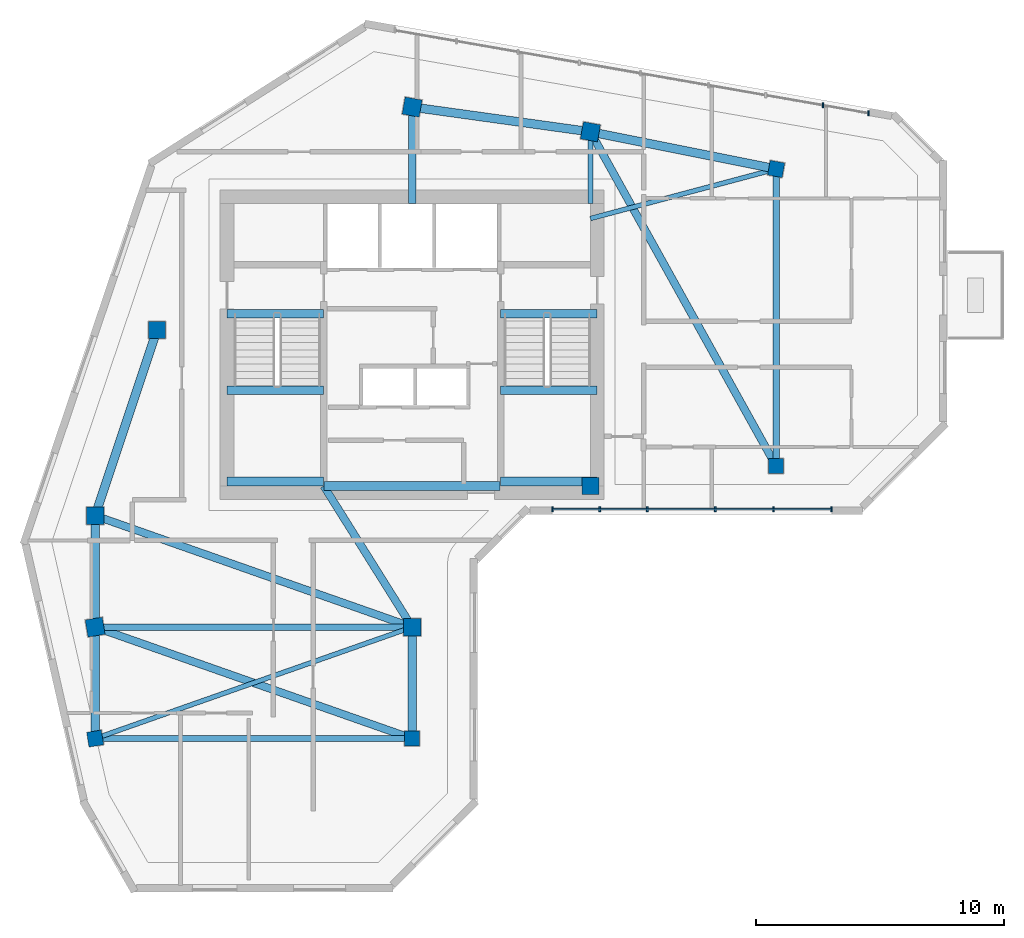
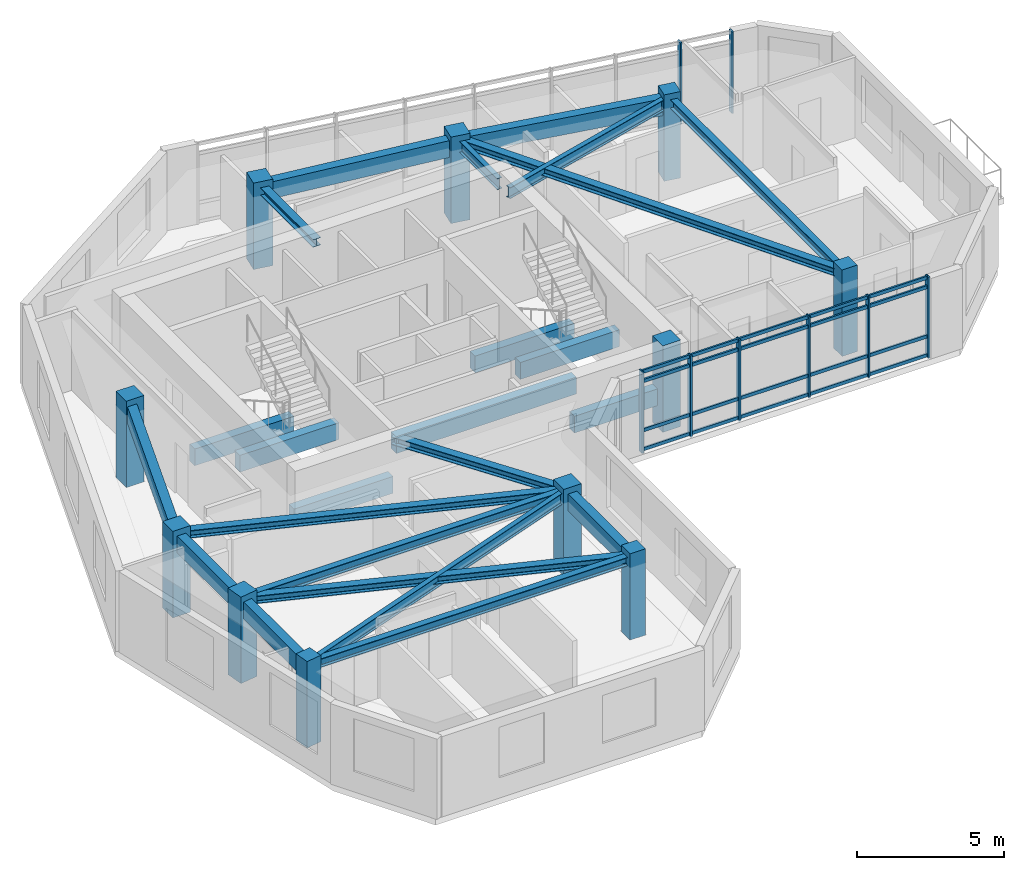
# One storey, part 1 of 9: 24 beams, 12 members, 11 columns, 2 elements without a shape of their own.
"""IFC4 building model written with IfcOpenShell, lengths in metres."""

import ifcopenshell
import ifcopenshell.guid

model = None  # the IFC model being written
_history = None  # IfcOwnerHistory: only IFC2X3 demands one
_inside = {}  # id of a spatial element -> (the spatial element, [elements in it])
_under = {}  # id of a project, library or spatial element -> (it, [spatial elements below it])
_declared = {}  # id of a project -> (the project, [libraries it declares])
_typed = {}  # id of a type object -> (the type object, [elements of that type])
_made_of = {}  # id of a material, layer set ... -> (it, [elements and type objects made of it])


def new_model(schema):
    """Start an empty IFC model of exactly this schema.

    Asked for "IFC4X3", IfcOpenShell would pick the latest addendum, in which some entities
    have other attributes; the version numbers below select the first issue.
    IFC2X3 requires an IfcOwnerHistory on every rooted entity: one is made here for all.
    """
    global model, _history
    if schema == "IFC4X3":
        model = ifcopenshell.file(schema_version=(4, 3, 0, 0))
    else:
        model = ifcopenshell.file(schema=schema)
    _inside.clear()
    _under.clear()
    _declared.clear()
    _typed.clear()
    _made_of.clear()
    _history = None
    if model.schema == "IFC2X3":
        org = make("IfcOrganization", Name="unknown")
        user = make(
            "IfcPersonAndOrganization",
            ThePerson=make("IfcPerson", FamilyName="unknown"),
            TheOrganization=org,
        )
        app = make(
            "IfcApplication",
            ApplicationDeveloper=org,
            Version="unknown",
            ApplicationFullName="unknown",
            ApplicationIdentifier="unknown",
        )
        _history = make(
            "IfcOwnerHistory",
            OwningUser=user,
            OwningApplication=app,
            ChangeAction="ADDED",
            CreationDate=0,
        )
    return model


def make(cls, **values):
    """One entity of the class cls with the attributes given. An attribute that is None is left unset."""
    return model.create_entity(
        cls, **{name: value for name, value in values.items() if value is not None}
    )


def rooted(cls, **values):
    """An entity with a GlobalId (a new one), such as an element, a storey or a relation."""
    return make(cls, GlobalId=ifcopenshell.guid.new(), OwnerHistory=_history, **values)


def si_unit(unit_type, name, prefix=None):
    """IfcSIUnit, for example si_unit("LENGTHUNIT", "METRE", prefix="MILLI")."""
    return make("IfcSIUnit", UnitType=unit_type, Prefix=prefix, Name=name)


def assignment(units):
    """IfcUnitAssignment: the units of a project."""
    return None if units is None else make("IfcUnitAssignment", Units=units)


def point(xyz):
    """IfcCartesianPoint."""
    return None if xyz is None else make("IfcCartesianPoint", Coordinates=xyz)


def direction(xyz):
    """IfcDirection."""
    return None if xyz is None else make("IfcDirection", DirectionRatios=xyz)


def frame(location, z_axis=None, x_axis=None):
    """IfcAxis2Placement3D, a coordinate frame: its origin and axes. An axis left out is left unset."""
    return make(
        "IfcAxis2Placement3D",
        Location=point(location),
        Axis=direction(z_axis),
        RefDirection=direction(x_axis),
    )


def frame_2d(location, x_axis=None):
    """IfcAxis2Placement2D, a coordinate frame in the plane: its origin and x axis."""
    return make(
        "IfcAxis2Placement2D", Location=point(location), RefDirection=direction(x_axis)
    )


def origin():
    """The frame at (0, 0, 0) with its axes left unset."""
    return frame((0.0, 0.0, 0.0))


def origin_2d():
    """The frame at (0, 0) in the plane with its x axis left unset."""
    return frame_2d((0.0, 0.0))


def place(relative_to, where):
    """IfcLocalPlacement: puts the frame where relative to a parent placement (None: the world)."""
    return make(
        "IfcLocalPlacement", PlacementRelTo=relative_to, RelativePlacement=where
    )


def context(
    kind, dimensions, precision=None, world=None, true_north=None, identifier=None
):
    """IfcGeometricRepresentationContext, for example the 3D "Model" context."""
    return make(
        "IfcGeometricRepresentationContext",
        ContextIdentifier=identifier,
        ContextType=kind,
        CoordinateSpaceDimension=dimensions,
        Precision=precision,
        WorldCoordinateSystem=world,
        TrueNorth=true_north,
    )


def subcontext(parent, identifier, kind, view, scale=None):
    """IfcGeometricRepresentationSubContext, for example "Body" below "Model"."""
    return make(
        "IfcGeometricRepresentationSubContext",
        ContextIdentifier=identifier,
        ContextType=kind,
        ParentContext=parent,
        TargetScale=scale,
        TargetView=view,
    )


def project(units=None, contexts=None):
    """IfcProject with its units and contexts."""
    return rooted(
        "IfcProject",
        Name="project",
        RepresentationContexts=contexts,
        UnitsInContext=assignment(units),
    )


def spatial(cls, under=None, at=None, **own):
    """A site, building, storey or space (cls), placed at a placement, below another one or the project."""
    s = rooted(cls, ObjectPlacement=at, **own)
    if under is not None:
        _under.setdefault(under.id(), (under, []))[1].append(s)
    return s


def profile(cls, at=None, kind="AREA", **sizes):
    """A parametric profile (cls). Its sizes go by their IFC names, for example OverallWidth=200.0."""
    return make(cls, ProfileType=kind, Position=at, **sizes)


def rectangle(**sizes):
    """IfcRectangleProfileDef."""
    return profile("IfcRectangleProfileDef", **sizes)


def i_section(**sizes):
    """IfcIShapeProfileDef."""
    return profile("IfcIShapeProfileDef", **sizes)


def extrude(swept, where, along, depth):
    """IfcExtrudedAreaSolid: the profile swept, set in the frame where, extruded along a direction by depth."""
    return make(
        "IfcExtrudedAreaSolid",
        SweptArea=swept,
        Position=where,
        ExtrudedDirection=direction(along),
        Depth=depth,
    )


def shape(context_of_items, identifier, shape_type, items):
    """IfcShapeRepresentation: the items that make up one representation, for example the "Body"."""
    return make(
        "IfcShapeRepresentation",
        ContextOfItems=context_of_items,
        RepresentationIdentifier=identifier,
        RepresentationType=shape_type,
        Items=items,
    )


def source(mapping_origin, context_of_items, identifier, shape_type, items):
    """IfcRepresentationMap: a shape defined once, which mapped items show again and again."""
    return make(
        "IfcRepresentationMap",
        MappingOrigin=mapping_origin,
        MappedRepresentation=shape(context_of_items, identifier, shape_type, items),
    )


def transform(
    local_origin,
    x_axis=None,
    y_axis=None,
    z_axis=None,
    scale=None,
    scale2=None,
    scale3=None,
    uniform=True,
):
    """IfcCartesianTransformationOperator3D, or its non-uniform kind. x_axis, y_axis, z_axis: its Axis1, 2, 3."""
    if uniform:
        return make(
            "IfcCartesianTransformationOperator3D",
            Axis1=direction(x_axis),
            Axis2=direction(y_axis),
            LocalOrigin=point(local_origin),
            Scale=scale,
            Axis3=direction(z_axis),
        )
    return make(
        "IfcCartesianTransformationOperator3DnonUniform",
        Axis1=direction(x_axis),
        Axis2=direction(y_axis),
        LocalOrigin=point(local_origin),
        Scale=scale,
        Axis3=direction(z_axis),
        Scale2=scale2,
        Scale3=scale3,
    )


def mapped(mapping_source, mapping_target):
    """IfcMappedItem: shows the shape of a source again, moved by a transform."""
    return make(
        "IfcMappedItem", MappingSource=mapping_source, MappingTarget=mapping_target
    )


def material(Name=None, Category=None):
    """IfcMaterial."""
    return make("IfcMaterial", Name=Name, Category=Category)


def material_profile(
    of_material, cross_section, Name=None, Category=None, Priority=None
):
    """IfcMaterialProfile: a cross section and its material."""
    return make(
        "IfcMaterialProfile",
        Name=Name,
        Material=of_material,
        Profile=cross_section,
        Priority=Priority,
        Category=Category,
    )


def profile_set(profiles, Name=None, composite=None):
    """IfcMaterialProfileSet."""
    return make(
        "IfcMaterialProfileSet",
        Name=Name,
        MaterialProfiles=profiles,
        CompositeProfile=composite,
    )


def made_of(thing, what):
    """Note that an element or type object is made of a material, layer set ...; save() writes the relation."""
    if what is not None:
        _made_of.setdefault(what.id(), (what, []))[1].append(thing)
    return thing


def type_object(cls, material=None, **own):
    """A type object (cls), such as IfcWallType, which elements share."""
    return made_of(rooted(cls, **own), material)


def element(
    cls,
    number,
    at=None,
    inside=None,
    cuts=None,
    type_object=None,
    material=None,
    context=None,
    identifier="Body",
    shape_type=None,
    held_by="IfcProductDefinitionShape",
    body=None,
    shapes=None,
    **own,
):
    """One element of the class cls, such as IfcWall. Its Tag is "e" and its number.

    at: its placement. inside: the storey or other place that contains it. cuts: it is an
    opening in that element (IfcRelVoidsElement). A single representation is given by context,
    identifier, shape_type and body (its items); several are given by shapes. held_by: the class
    of the entity that holds the representations. save() writes the other relations.
    """
    e = rooted(cls, Tag="e%d" % number, ObjectPlacement=at, **own)
    if body is not None:
        shapes = [shape(context, identifier, shape_type, body)]
    if shapes is not None:
        e.Representation = make(held_by, Representations=shapes)
    if inside is not None:
        _inside.setdefault(inside.id(), (inside, []))[1].append(e)
    if cuts is not None:
        rooted(
            "IfcRelVoidsElement", RelatingBuildingElement=cuts, RelatedOpeningElement=e
        )
    if type_object is not None:
        _typed.setdefault(type_object.id(), (type_object, []))[1].append(e)
    return made_of(e, material)


def aggregate(whole, parts):
    """IfcRelAggregates: a whole, such as a stair, and the parts it consists of."""
    return rooted("IfcRelAggregates", RelatingObject=whole, RelatedObjects=parts)


def save(model, path):
    """Write the relations noted so far, then the file.

    IfcRelAggregates (storeys below a building ...), IfcRelContainedInSpatialStructure (elements
    in a storey), IfcRelDefinesByType, IfcRelAssociatesMaterial and IfcRelDeclares: one each for
    every whole, place, type object, material and project.
    """
    for whole, parts in _under.values():
        aggregate(whole, parts)
    for where, things in _inside.values():
        rooted(
            "IfcRelContainedInSpatialStructure",
            RelatedElements=things,
            RelatingStructure=where,
        )
    for kind, things in _typed.values():
        rooted("IfcRelDefinesByType", RelatedObjects=things, RelatingType=kind)
    for what, things in _made_of.values():
        rooted("IfcRelAssociatesMaterial", RelatedObjects=things, RelatingMaterial=what)
    for by, libraries in _declared.values():
        rooted("IfcRelDeclares", RelatingContext=by, RelatedDefinitions=libraries)
    model.write(path)


model = new_model("IFC4")

# Units and contexts
model_context = context("Model", 3, precision=1e-05, world=origin(), true_north=direction((0.0, 1.0)))
body_context = subcontext(model_context, "Body", "Model", "MODEL_VIEW")
ifc_project = project(units=[si_unit("LENGTHUNIT", "METRE"), si_unit("AREAUNIT", "SQUARE_METRE"), si_unit("VOLUMEUNIT", "CUBIC_METRE"), si_unit("PLANEANGLEUNIT", "RADIAN"), si_unit("MASSUNIT", "GRAM", prefix="KILO")], contexts=[model_context])

# Site, building, storey
site_placement = place(None, origin())
site = spatial("IfcSite", under=ifc_project, at=site_placement, CompositionType="ELEMENT")
building_placement = place(site_placement, origin())
building = spatial("IfcBuilding", under=site, at=building_placement, Name="Calvemar Wedge Station Tower", CompositionType="ELEMENT")
storey_placement = place(building_placement, frame((0.0, 0.0, 263.699951171875)))
storey = spatial("IfcBuildingStorey", under=building, at=storey_placement, Name="L67", CompositionType="ELEMENT", Elevation=263.699951171875)

# Columns
ifc_material_1 = material(Name="Concrete C50", Category="concrete")
ifc_material_profile_1 = material_profile(ifc_material_1, rectangle(XDim=0.699951171875, YDim=0.699951171875, at=origin_2d()), Name="RC700x700")
ifc_profile_set_1 = profile_set([ifc_material_profile_1], Name="Concrete C50")
column_type_1 = type_object("IfcColumnType", Name="COL-C7-700", PredefinedType="COLUMN", material=ifc_profile_set_1)
shared_shape_1 = source(origin(), body_context, "Body", "SweptSolid", [
    extrude(rectangle(XDim=0.699951171875, YDim=0.699951171875, at=origin_2d()), origin(), (0.0, 0.0, 1.0), 3.60009765625),
])
for number, where, z_axis, x_axis, name in (
    (1, (11.0, 33.0, 0.0), (0.0, 0.0, 1.0), (1.0, 0.0, 0.0), "Storey L67 Column T-NW1"),
    (2, (13.5, 40.5, 0.0), (0.0, 0.0, 1.0), (1.0, 0.0, 0.0), "Storey L67 Column T-NW2"),
    (3, (23.800048828125, 49.5, 0.0), (0.0, 0.0, 1.0), (0.984195607969, -0.17708474032, 0.0), "Storey L67 Column T-N1"),
    (4, (31.0, 48.5, 0.0), (0.0, 0.0, 1.0), (0.984195607969, -0.17708474032, 0.0), "Storey L67 Column T-N2"),
    (5, (31.0, 34.199951171875, 0.0), (0.0, 0.0, 1.0), (1.0, 0.0, 0.0), "Storey L67 Column T-NL1"),
    (6, (11.0, 28.5, 0.0), (0.0, 0.0, 1.0), (0.158158067254, -0.987413806751, 0.0), "Storey L67 Column T-SW1"),
    (7, (23.800048828125, 28.5, 0.0), (0.0, 0.0, 1.0), (1.0, 0.0, 0.0), "Storey L67 Column T-SE1"),
):
    element("IfcColumn", number, at=place(storey_placement, frame(where, z_axis=z_axis, x_axis=x_axis)), inside=storey, type_object=column_type_1, Name=name, PredefinedType="COLUMN", context=body_context, shape_type="MappedRepresentation", body=[
        mapped(shared_shape_1, transform((0.0, 0.0, 0.0), scale=1.0)),
    ])
ifc_material_profile_2 = material_profile(ifc_material_1, rectangle(XDim=0.60009765625, YDim=0.60009765625, at=origin_2d()), Name="RC600x600")
ifc_profile_set_2 = profile_set([ifc_material_profile_2], Name="Concrete C50")
column_type_2 = type_object("IfcColumnType", Name="COL-C8-600", PredefinedType="COLUMN", material=ifc_profile_set_2)
shared_shape_2 = source(origin(), body_context, "Body", "SweptSolid", [
    extrude(rectangle(XDim=0.60009765625, YDim=0.60009765625, at=origin_2d()), origin(), (0.0, 0.0, 1.0), 3.60009765625),
])
for number, where, z_axis, x_axis, name in (
    (8, (38.5, 47.0, 0.0), (0.0, 0.0, 1.0), (0.984195607969, -0.17708474032, 0.0), "Storey L67 Column T-NU3"),
    (9, (38.5, 35.0, 0.0), (0.0, 0.0, 1.0), (1.0, 0.0, 0.0), "Storey L67 Column T-NL2"),
    (10, (11.0, 24.0, 0.0), (0.0, 0.0, 1.0), (0.158158067254, -0.987413806751, 0.0), "Storey L67 Column T-SW2"),
    (11, (23.800048828125, 24.0, 0.0), (0.0, 0.0, 1.0), (1.0, 0.0, 0.0), "Storey L67 Column T-SE2"),
):
    element("IfcColumn", number, at=place(storey_placement, frame(where, z_axis=z_axis, x_axis=x_axis)), inside=storey, type_object=column_type_2, Name=name, PredefinedType="COLUMN", context=body_context, shape_type="MappedRepresentation", body=[
        mapped(shared_shape_2, transform((0.0, 0.0, 0.0), scale=1.0)),
    ])

# Beams
ifc_material_2 = material(Name="Concrete C70", Category="concrete")
ifc_material_profile_3 = material_profile(ifc_material_2, rectangle(XDim=0.35009765625, YDim=0.699951171875, at=origin_2d()), Name="RC350x700")
ifc_profile_set_3 = profile_set([ifc_material_profile_3], Name="Concrete C70")
beam_type_1 = type_object("IfcBeamType", Name="BM-LN1-700", PredefinedType="LINTEL", material=ifc_profile_set_3)
shared_shape_3 = source(origin(), body_context, "Body", "SweptSolid", [
    extrude(rectangle(XDim=0.35009765625, YDim=0.699951171875, at=origin_2d()), origin(), (0.0, 0.0, 1.0), 7.10009765625),
])
beam_1_placement = place(storey_placement, frame((20.25, 34.199951171875, 3.0), z_axis=(1.0, 0.0, 0.0), x_axis=(0.0, 1.0, 0.0)))
element("IfcBeam", 12, at=beam_1_placement, inside=storey, type_object=beam_type_1, Name="Storey L67 Core Coupling Lintel South", PredefinedType="LINTEL", context=body_context, shape_type="MappedRepresentation", body=[
    mapped(shared_shape_3, transform((0.0, 0.0, 0.0), scale=1.0)),
])
ifc_material_3 = material(Name="Structural steel ASTM A572 Grade 50", Category="steel")
ifc_material_profile_4 = material_profile(ifc_material_3, i_section(OverallWidth=0.30908203125, OverallDepth=0.322998046875, WebThickness=0.013916015625, FlangeThickness=0.02294921875, FilletRadius=0.014892578125, at=origin_2d()), Name="W310x143")
ifc_profile_set_4 = profile_set([ifc_material_profile_4], Name="Structural steel ASTM A572 Grade 50")
beam_type_2 = type_object("IfcBeamType", Name="BM-J5-W310H", PredefinedType="JOIST", material=ifc_profile_set_4)
shared_shape_4 = source(origin(), body_context, "Body", "SweptSolid", [
    extrude(i_section(OverallWidth=0.30908203125, OverallDepth=0.322998046875, WebThickness=0.013916015625, FlangeThickness=0.02294921875, FilletRadius=0.014892578125, at=origin_2d()), origin(), (0.0, 0.0, 1.0), 15.443359375),
])
beam_2_placement = place(storey_placement, frame((31.0, 48.5, 3.1884765625), z_axis=(0.485642931179, -0.874157276122, 0.0), x_axis=(0.874157276122, 0.485642931179, 0.0)))
element("IfcBeam", 13, at=beam_2_placement, inside=storey, type_object=beam_type_2, Name="Storey L67 Floor Beam T-N2-T-NL2", PredefinedType="JOIST", context=body_context, shape_type="MappedRepresentation", body=[
    mapped(shared_shape_4, transform((0.0, 0.0, 0.0), scale=1.0)),
])
shared_shape_5 = source(origin(), body_context, "Body", "SweptSolid", [
    extrude(i_section(OverallWidth=0.30908203125, OverallDepth=0.322998046875, WebThickness=0.013916015625, FlangeThickness=0.02294921875, FilletRadius=0.014892578125, at=origin_2d()), origin(), (0.0, 0.0, 1.0), 13.568115234375),
])
for number, where, z_axis, x_axis, name in (
    (14, (11.0, 33.0, 3.1884765625), (0.943398221169, -0.331662171939, 0.0), (0.331662171939, 0.943398221169, 0.0), "Storey L67 Floor Beam T-NW1-T-SE1"),
    (15, (11.0, 28.5, 3.1884765625), (0.943398221169, -0.331662171939, 0.0), (0.331662171939, 0.943398221169, 0.0), "Storey L67 Floor Beam T-SW1-T-SE2"),
):
    element("IfcBeam", number, at=place(storey_placement, frame(where, z_axis=z_axis, x_axis=x_axis)), inside=storey, type_object=beam_type_2, Name=name, PredefinedType="JOIST", context=body_context, shape_type="MappedRepresentation", body=[
        mapped(shared_shape_5, transform((0.0, 0.0, 0.0), scale=1.0)),
    ])
ifc_material_profile_5 = material_profile(ifc_material_3, i_section(OverallWidth=0.19189453125, OverallDepth=0.462890625, WebThickness=0.010498046875, FlangeThickness=0.017578125, FilletRadius=0.012939453125, at=origin_2d()), Name="W460x89")
ifc_profile_set_5 = profile_set([ifc_material_profile_5], Name="Structural steel ASTM A572 Grade 50")
beam_type_3 = type_object("IfcBeamType", Name="BM-J1-W460", PredefinedType="JOIST", material=ifc_profile_set_5)
shared_shape_6 = source(origin(), body_context, "Body", "SweptSolid", [
    extrude(i_section(OverallWidth=0.19189453125, OverallDepth=0.462890625, WebThickness=0.010498046875, FlangeThickness=0.017578125, FilletRadius=0.012939453125, at=origin_2d()), origin(), (0.0, 0.0, 1.0), 13.568115234375),
])
beam_3_placement = place(storey_placement, frame((23.800048828125, 28.5, 3.11865234375), z_axis=(-0.943398221169, -0.331662171939, 0.0), x_axis=(0.331662171939, -0.943398221169, 0.0)))
element("IfcBeam", 16, at=beam_3_placement, inside=storey, type_object=beam_type_3, Name="Storey L67 Floor Beam T-SE1-T-SW2", PredefinedType="JOIST", context=body_context, shape_type="MappedRepresentation", body=[
    mapped(shared_shape_6, transform((0.0, 0.0, 0.0), scale=1.0)),
])
shared_shape_7 = source(origin(), body_context, "Body", "SweptSolid", [
    extrude(i_section(OverallWidth=0.19189453125, OverallDepth=0.462890625, WebThickness=0.010498046875, FlangeThickness=0.017578125, FilletRadius=0.012939453125, at=origin_2d()), origin(), (0.0, 0.0, 1.0), 7.76220703125),
])
beam_4_placement = place(storey_placement, frame((31.0, 45.0, 3.11865234375), z_axis=(0.966234939601, 0.25766265056, 0.0), x_axis=(-0.25766265056, 0.966234939601, 0.0)))
element("IfcBeam", 17, at=beam_4_placement, inside=storey, type_object=beam_type_3, Name="Storey L67 Core-to-Column Joist CJ-E2", PredefinedType="JOIST", context=body_context, shape_type="MappedRepresentation", body=[
    mapped(shared_shape_7, transform((0.0, 0.0, 0.0), scale=1.0)),
])
shared_shape_8 = source(origin(), body_context, "Body", "SweptSolid", [
    extrude(i_section(OverallWidth=0.30908203125, OverallDepth=0.322998046875, WebThickness=0.013916015625, FlangeThickness=0.02294921875, FilletRadius=0.014892578125, at=origin_2d()), origin(), (0.0, 0.0, 1.0), 3.89990234375),
])
beam_5_placement = place(storey_placement, frame((23.800048828125, 45.60009765625, 3.1884765625), z_axis=(0.0, 1.0, 0.0), x_axis=(-1.0, 0.0, 0.0)))
element("IfcBeam", 18, at=beam_5_placement, inside=storey, type_object=beam_type_2, Name="Storey L67 Core-to-Column Joist CJ-N1", PredefinedType="JOIST", context=body_context, shape_type="MappedRepresentation", body=[
    mapped(shared_shape_8, transform((0.0, 0.0, 0.0), scale=1.0)),
])
shared_shape_9 = source(origin(), body_context, "Body", "SweptSolid", [
    extrude(i_section(OverallWidth=0.19189453125, OverallDepth=0.462890625, WebThickness=0.010498046875, FlangeThickness=0.017578125, FilletRadius=0.012939453125, at=origin_2d()), origin(), (0.0, 0.0, 1.0), 2.89990234375),
])
beam_6_placement = place(storey_placement, frame((31.0, 45.60009765625, 3.11865234375), z_axis=(0.0, 1.0, 0.0), x_axis=(-1.0, 0.0, 0.0)))
element("IfcBeam", 19, at=beam_6_placement, inside=storey, type_object=beam_type_3, Name="Storey L67 Core-to-Column Joist CJ-N2", PredefinedType="JOIST", context=body_context, shape_type="MappedRepresentation", body=[
    mapped(shared_shape_9, transform((0.0, 0.0, 0.0), scale=1.0)),
])
shared_shape_10 = source(origin(), body_context, "Body", "SweptSolid", [
    extrude(i_section(OverallWidth=0.30908203125, OverallDepth=0.322998046875, WebThickness=0.013916015625, FlangeThickness=0.02294921875, FilletRadius=0.014892578125, at=origin_2d()), origin(), (0.0, 0.0, 1.0), 6.7255859375),
])
beam_7_placement = place(storey_placement, frame((20.22998046875, 34.199951171875, 3.1884765625), z_axis=(0.530811158438, -0.847490126242, 0.0), x_axis=(0.847490126242, 0.530811158438, 0.0)))
element("IfcBeam", 20, at=beam_7_placement, inside=storey, type_object=beam_type_2, Name="Storey L67 Core-to-Column Joist CJ-S2", PredefinedType="JOIST", context=body_context, shape_type="MappedRepresentation", body=[
    mapped(shared_shape_10, transform((0.0, 0.0, 0.0), scale=1.0)),
])
ifc_material_profile_6 = material_profile(ifc_material_1, rectangle(XDim=0.35009765625, YDim=0.699951171875, at=origin_2d()), Name="RC350x700")
ifc_profile_set_6 = profile_set([ifc_material_profile_6], Name="Concrete C50")
beam_type_4 = type_object("IfcBeamType", Name="BM-SP2-700", PredefinedType="SPANDREL", material=ifc_profile_set_6)
shared_shape_11 = source(origin(), body_context, "Body", "SweptSolid", [
    extrude(rectangle(XDim=0.35009765625, YDim=0.699951171875, at=origin_2d()), origin(), (0.0, 0.0, 1.0), 7.90576171875),
])
beam_8_placement = place(storey_placement, frame((11.0, 33.0, 3.0), z_axis=(0.316227766017, 0.948683298051, 0.0), x_axis=(-0.948683298051, 0.316227766017, 0.0)))
element("IfcBeam", 21, at=beam_8_placement, inside=storey, type_object=beam_type_4, Name="Storey L67 Spandrel T-NW1-T-NW2", PredefinedType="SPANDREL", context=body_context, shape_type="MappedRepresentation", body=[
    mapped(shared_shape_11, transform((0.0, 0.0, 0.0), scale=1.0)),
])
shared_shape_12 = source(origin(), body_context, "Body", "SweptSolid", [
    extrude(rectangle(XDim=0.35009765625, YDim=0.699951171875, at=origin_2d()), origin(), (0.0, 0.0, 1.0), 7.26904296875),
])
beam_9_placement = place(storey_placement, frame((23.800048828125, 49.5, 3.0), z_axis=(0.990492146053, -0.13756928657, 0.0), x_axis=(0.13756928657, 0.990492146053, 0.0)))
element("IfcBeam", 22, at=beam_9_placement, inside=storey, type_object=beam_type_4, Name="Storey L67 Spandrel T-N1-T-N2", PredefinedType="SPANDREL", context=body_context, shape_type="MappedRepresentation", body=[
    mapped(shared_shape_12, transform((0.0, 0.0, 0.0), scale=1.0)),
])
shared_shape_13 = source(origin(), body_context, "Body", "SweptSolid", [
    extrude(rectangle(XDim=0.35009765625, YDim=0.699951171875, at=origin_2d()), origin(), (0.0, 0.0, 1.0), 7.6484375),
])
beam_10_placement = place(storey_placement, frame((31.0, 48.5, 3.0), z_axis=(0.980580675691, -0.196116135138, 0.0), x_axis=(0.196116135138, 0.980580675691, 0.0)))
element("IfcBeam", 23, at=beam_10_placement, inside=storey, type_object=beam_type_4, Name="Storey L67 Spandrel T-N2-T-NU3", PredefinedType="SPANDREL", context=body_context, shape_type="MappedRepresentation", body=[
    mapped(shared_shape_13, transform((0.0, 0.0, 0.0), scale=1.0)),
])
shared_shape_14 = source(origin(), body_context, "Body", "SweptSolid", [
    extrude(rectangle(XDim=0.35009765625, YDim=0.699951171875, at=origin_2d()), origin(), (0.0, 0.0, 1.0), 4.5),
])
for number, where, z_axis, x_axis, name in (
    (24, (11.0, 33.0, 3.0), (0.0, -1.0, 0.0), (1.0, 0.0, 0.0), "Storey L67 Spandrel T-NW1-T-SW1"),
    (25, (11.0, 28.5, 3.0), (0.0, -1.0, 0.0), (1.0, 0.0, 0.0), "Storey L67 Spandrel T-SW1-T-SW2"),
    (26, (23.800048828125, 28.5, 3.0), (0.0, -1.0, 0.0), (1.0, 0.0, 0.0), "Storey L67 Spandrel T-SE1-T-SE2"),
):
    element("IfcBeam", number, at=place(storey_placement, frame(where, z_axis=z_axis, x_axis=x_axis)), inside=storey, type_object=beam_type_4, Name=name, PredefinedType="SPANDREL", context=body_context, shape_type="MappedRepresentation", body=[
        mapped(shared_shape_14, transform((0.0, 0.0, 0.0), scale=1.0)),
    ])
shared_shape_15 = source(origin(), body_context, "Body", "SweptSolid", [
    extrude(rectangle(XDim=0.35009765625, YDim=0.699951171875, at=origin_2d()), origin(), (0.0, 0.0, 1.0), 3.905029296875),
])
for number, where, z_axis, x_axis, name in (
    (27, (16.324951171875, 41.14990234375, -0.349853515625), (1.0, 0.0, 0.0), (0.0, 1.0, 0.0), "Storey L67 Stair ST-C1 Landing Trimmer Beam"),
    (28, (16.324951171875, 34.3798828125, 1.25), (1.0, 0.0, 0.0), (0.0, 1.0, 0.0), "Storey L67 Stair ST-C1 Half-Landing Beam 1A"),
    (29, (16.324951171875, 38.070068359375, 1.25), (1.0, 0.0, 0.0), (0.0, 1.0, 0.0), "Storey L67 Stair ST-C1 Half-Landing Beam 1B"),
):
    element("IfcBeam", number, at=place(storey_placement, frame(where, z_axis=z_axis, x_axis=x_axis)), inside=storey, type_object=beam_type_1, Name=name, PredefinedType="LINTEL", context=body_context, shape_type="MappedRepresentation", body=[
        mapped(shared_shape_15, transform((0.0, 0.0, 0.0), scale=1.0)),
    ])
shared_shape_16 = source(origin(), body_context, "Body", "SweptSolid", [
    extrude(rectangle(XDim=0.35009765625, YDim=0.699951171875, at=origin_2d()), origin(), (0.0, 0.0, 1.0), 3.90478515625),
])
for number, where, z_axis, x_axis, name in (
    (30, (27.3701171875, 41.14990234375, -0.349853515625), (1.0, 0.0, 0.0), (0.0, 1.0, 0.0), "Storey L67 Stair ST-C2 Landing Trimmer Beam"),
    (31, (27.3701171875, 34.3798828125, 1.25), (1.0, 0.0, 0.0), (0.0, 1.0, 0.0), "Storey L67 Stair ST-C2 Half-Landing Beam 1A"),
    (32, (27.3701171875, 38.070068359375, 1.25), (1.0, 0.0, 0.0), (0.0, 1.0, 0.0), "Storey L67 Stair ST-C2 Half-Landing Beam 1B"),
):
    element("IfcBeam", number, at=place(storey_placement, frame(where, z_axis=z_axis, x_axis=x_axis)), inside=storey, type_object=beam_type_1, Name=name, PredefinedType="LINTEL", context=body_context, shape_type="MappedRepresentation", body=[
        mapped(shared_shape_16, transform((0.0, 0.0, 0.0), scale=1.0)),
    ])
ifc_material_profile_7 = material_profile(ifc_material_3, i_section(OverallWidth=0.257080078125, OverallDepth=0.363037109375, WebThickness=0.012939453125, FlangeThickness=0.021728515625, FilletRadius=0.014892578125, at=origin_2d()), Name="W360x122")
ifc_profile_set_7 = profile_set([ifc_material_profile_7], Name="Structural steel ASTM A572 Grade 50")
beam_type_5 = type_object("IfcBeamType", Name="BM-J4-W360", PredefinedType="JOIST", material=ifc_profile_set_7)
shared_shape_17 = source(origin(), body_context, "Body", "SweptSolid", [
    extrude(i_section(OverallWidth=0.257080078125, OverallDepth=0.363037109375, WebThickness=0.012939453125, FlangeThickness=0.021728515625, FilletRadius=0.014892578125, at=origin_2d()), origin(), (0.0, 0.0, 1.0), 12.0),
])
beam_11_placement = place(storey_placement, frame((38.5, 47.0, 3.16845703125), z_axis=(0.0, -1.0, 0.0), x_axis=(1.0, 0.0, 0.0)))
element("IfcBeam", 33, at=beam_11_placement, inside=storey, type_object=beam_type_5, Name="Storey L67 Floor Beam T-NU3-T-NL2", PredefinedType="JOIST", context=body_context, shape_type="MappedRepresentation", body=[
    mapped(shared_shape_17, transform((0.0, 0.0, 0.0), scale=1.0)),
])
shared_shape_18 = source(origin(), body_context, "Body", "SweptSolid", [
    extrude(i_section(OverallWidth=0.257080078125, OverallDepth=0.363037109375, WebThickness=0.012939453125, FlangeThickness=0.021728515625, FilletRadius=0.014892578125, at=origin_2d()), origin(), (0.0, 0.0, 1.0), 12.800048828125),
])
for number, where, z_axis, x_axis, name in (
    (34, (11.0, 28.5, 3.16845703125), (1.0, 0.0, 0.0), (0.0, 1.0, 0.0), "Storey L67 Floor Beam T-SW1-T-SE1"),
    (35, (11.0, 24.0, 3.16845703125), (1.0, 0.0, 0.0), (0.0, 1.0, 0.0), "Storey L67 Floor Beam T-SW2-T-SE2"),
):
    element("IfcBeam", number, at=place(storey_placement, frame(where, z_axis=z_axis, x_axis=x_axis)), inside=storey, type_object=beam_type_5, Name=name, PredefinedType="JOIST", context=body_context, shape_type="MappedRepresentation", body=[
        mapped(shared_shape_18, transform((0.0, 0.0, 0.0), scale=1.0)),
    ])

# Curtain wall, members
ifc_material_4 = material(Name="Anodised aluminium 6063-T6", Category="aluminium")
curtain_wall_type = type_object("IfcCurtainWallType", Name="CW4", PredefinedType="NOTDEFINED", material=ifc_material_4)
curtain_wall_1_placement = place(storey_placement, origin())
curtain_wall_1 = element("IfcCurtainWall", 36, at=curtain_wall_1_placement, inside=storey, type_object=curtain_wall_type, Name="Storey L67 CW4 Recessed Unitised Curtain Wall 6", PredefinedType="NOTDEFINED")
ifc_material_profile_8 = material_profile(ifc_material_4, rectangle(XDim=0.070068359375, YDim=0.139892578125, at=origin_2d()), Name="AL-TRN-70x140")
ifc_profile_set_8 = profile_set([ifc_material_profile_8], Name="Anodised aluminium 6063-T6")
member_type_1 = type_object("IfcMemberType", Name="CW4-TRN", PredefinedType="USERDEFINED", material=ifc_profile_set_8)
shared_shape_19 = source(origin(), body_context, "Body", "SweptSolid", [
    extrude(rectangle(XDim=0.070068359375, YDim=0.139892578125, at=origin_2d()), origin(), (0.0, 0.0, 1.0), 11.267822265625),
])
member_1_placement = place(storey_placement, frame((29.469970703125, 33.26611328125, 0.06005859375), z_axis=(1.0, 0.0, 0.0), x_axis=(0.0, 1.0, 0.0)))
member_1 = element("IfcMember", 37, at=member_1_placement, type_object=member_type_1, Name="CW4 transom 1", ObjectType="TRANSOM", PredefinedType="USERDEFINED", context=body_context, shape_type="MappedRepresentation", body=[
    mapped(shared_shape_19, transform((0.0, 0.0, 0.0), scale=1.0)),
])
member_2_placement = place(storey_placement, frame((29.469970703125, 33.26611328125, 0.85009765625), z_axis=(1.0, 0.0, 0.0), x_axis=(0.0, 1.0, 0.0)))
member_2 = element("IfcMember", 38, at=member_2_placement, type_object=member_type_1, Name="CW4 transom 2", ObjectType="TRANSOM", PredefinedType="USERDEFINED", context=body_context, shape_type="MappedRepresentation", body=[
    mapped(shared_shape_19, transform((0.0, 0.0, 0.0), scale=1.0)),
])
member_3_placement = place(storey_placement, frame((29.469970703125, 33.26611328125, 2.900146484375), z_axis=(1.0, 0.0, 0.0), x_axis=(0.0, 1.0, 0.0)))
member_3 = element("IfcMember", 39, at=member_3_placement, type_object=member_type_1, Name="CW4 transom 3", ObjectType="TRANSOM", PredefinedType="USERDEFINED", context=body_context, shape_type="MappedRepresentation", body=[
    mapped(shared_shape_19, transform((0.0, 0.0, 0.0), scale=1.0)),
])
member_4_placement = place(storey_placement, frame((29.469970703125, 33.26611328125, 3.2900390625), z_axis=(1.0, 0.0, 0.0), x_axis=(0.0, 1.0, 0.0)))
member_4 = element("IfcMember", 40, at=member_4_placement, type_object=member_type_1, Name="CW4 transom 4", ObjectType="TRANSOM", PredefinedType="USERDEFINED", context=body_context, shape_type="MappedRepresentation", body=[
    mapped(shared_shape_19, transform((0.0, 0.0, 0.0), scale=1.0)),
])
ifc_material_profile_9 = material_profile(ifc_material_4, rectangle(XDim=0.070068359375, YDim=0.199951171875, at=origin_2d()), Name="AL-MUL-70x200")
ifc_profile_set_9 = profile_set([ifc_material_profile_9], Name="Anodised aluminium 6063-T6")
member_type_2 = type_object("IfcMemberType", Name="CW4-MUL", PredefinedType="MULLION", material=ifc_profile_set_9)
shared_shape_20 = source(origin(), body_context, "Body", "SweptSolid", [
    extrude(rectangle(XDim=0.070068359375, YDim=0.199951171875, at=origin_2d()), origin(), (0.0, 0.0, 1.0), 3.400146484375),
])
member_5_placement = place(storey_placement, frame((29.469970703125, 33.26611328125, -0.050048828125), z_axis=(0.0, 0.0, 1.0), x_axis=(1.0, 0.0, 0.0)))
member_5 = element("IfcMember", 41, at=member_5_placement, type_object=member_type_2, Name="CW4 mullion 1", PredefinedType="MULLION", context=body_context, shape_type="MappedRepresentation", body=[
    mapped(shared_shape_20, transform((0.0, 0.0, 0.0), scale=1.0)),
])
member_6_placement = place(storey_placement, frame((31.3798828125, 33.26611328125, -0.050048828125), z_axis=(0.0, 0.0, 1.0), x_axis=(1.0, 0.0, 0.0)))
member_6 = element("IfcMember", 42, at=member_6_placement, type_object=member_type_2, Name="CW4 mullion 2", PredefinedType="MULLION", context=body_context, shape_type="MappedRepresentation", body=[
    mapped(shared_shape_20, transform((0.0, 0.0, 0.0), scale=1.0)),
])
member_7_placement = place(storey_placement, frame((33.2900390625, 33.26611328125, -0.050048828125), z_axis=(0.0, 0.0, 1.0), x_axis=(1.0, 0.0, 0.0)))
member_7 = element("IfcMember", 43, at=member_7_placement, type_object=member_type_2, Name="CW4 mullion 3", PredefinedType="MULLION", context=body_context, shape_type="MappedRepresentation", body=[
    mapped(shared_shape_20, transform((0.0, 0.0, 0.0), scale=1.0)),
])
member_8_placement = place(storey_placement, frame((36.0400390625, 33.26611328125, -0.050048828125), z_axis=(0.0, 0.0, 1.0), x_axis=(1.0, 0.0, 0.0)))
member_8 = element("IfcMember", 44, at=member_8_placement, type_object=member_type_2, Name="CW4 mullion 4", PredefinedType="MULLION", context=body_context, shape_type="MappedRepresentation", body=[
    mapped(shared_shape_20, transform((0.0, 0.0, 0.0), scale=1.0)),
])
member_9_placement = place(storey_placement, frame((38.388916015625, 33.26611328125, -0.050048828125), z_axis=(0.0, 0.0, 1.0), x_axis=(1.0, 0.0, 0.0)))
member_9 = element("IfcMember", 45, at=member_9_placement, type_object=member_type_2, Name="CW4 mullion 5", PredefinedType="MULLION", context=body_context, shape_type="MappedRepresentation", body=[
    mapped(shared_shape_20, transform((0.0, 0.0, 0.0), scale=1.0)),
])
member_10_placement = place(storey_placement, frame((40.73779296875, 33.26611328125, -0.050048828125), z_axis=(0.0, 0.0, 1.0), x_axis=(1.0, 0.0, 0.0)))
member_10 = element("IfcMember", 46, at=member_10_placement, type_object=member_type_2, Name="CW4 mullion 6", PredefinedType="MULLION", context=body_context, shape_type="MappedRepresentation", body=[
    mapped(shared_shape_20, transform((0.0, 0.0, 0.0), scale=1.0)),
])
aggregate(curtain_wall_1, [member_5, member_6, member_7, member_8, member_9, member_10, member_1, member_2, member_3, member_4])

curtain_wall_2_placement = place(storey_placement, origin())
curtain_wall_2 = element("IfcCurtainWall", 47, at=curtain_wall_2_placement, inside=storey, type_object=curtain_wall_type, Name="Storey L67 CW4 Recessed Unitised Curtain Wall 10", PredefinedType="NOTDEFINED")
member_11_placement = place(storey_placement, frame((42.233642578125, 49.246826171875, -0.050048828125), z_axis=(0.0, 0.0, 1.0), x_axis=(1.0, 0.0, 0.0)))
member_11 = element("IfcMember", 48, at=member_11_placement, type_object=member_type_2, Name="CW4 mullion 1", PredefinedType="MULLION", context=body_context, shape_type="MappedRepresentation", body=[
    mapped(shared_shape_20, transform((0.0, 0.0, 0.0), scale=1.0)),
])
member_12_placement = place(storey_placement, frame((40.388427734375, 49.569580078125, -0.050048828125), z_axis=(0.0, 0.0, 1.0), x_axis=(1.0, 0.0, 0.0)))
member_12 = element("IfcMember", 49, at=member_12_placement, type_object=member_type_2, Name="CW4 mullion 2", PredefinedType="MULLION", context=body_context, shape_type="MappedRepresentation", body=[
    mapped(shared_shape_20, transform((0.0, 0.0, 0.0), scale=1.0)),
])
aggregate(curtain_wall_2, [member_11, member_12])

save(model, "model.ifc")
